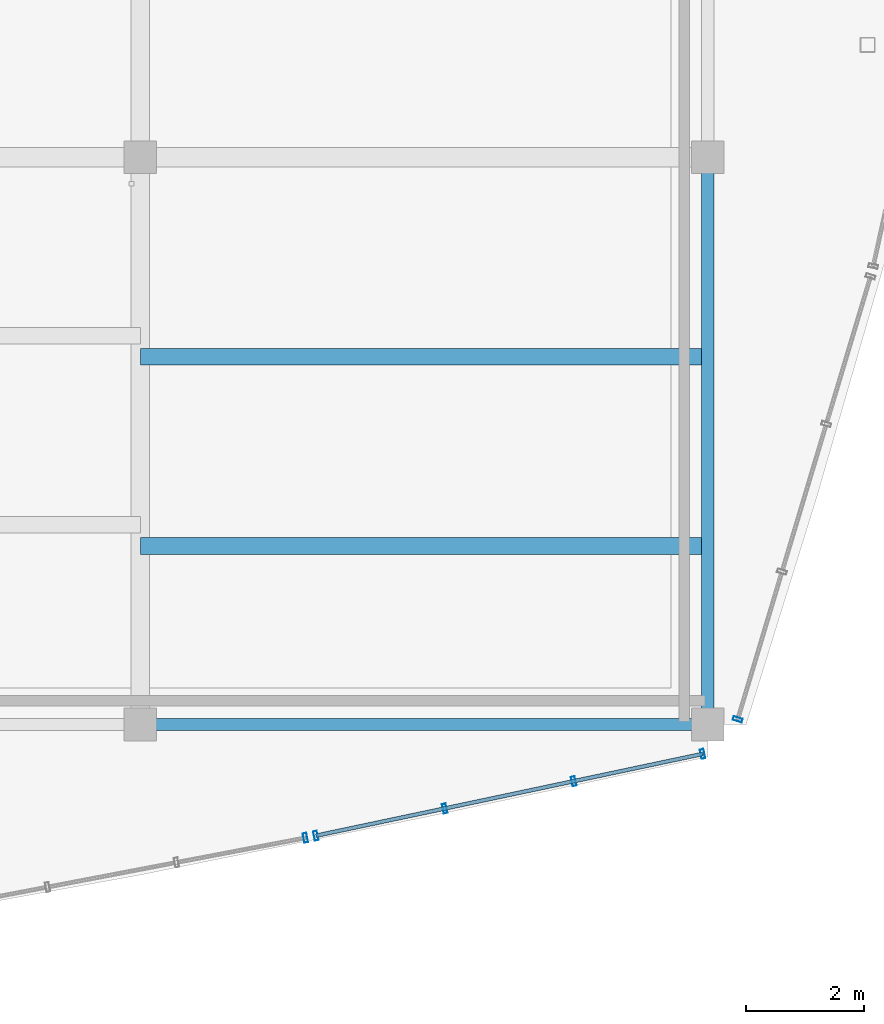
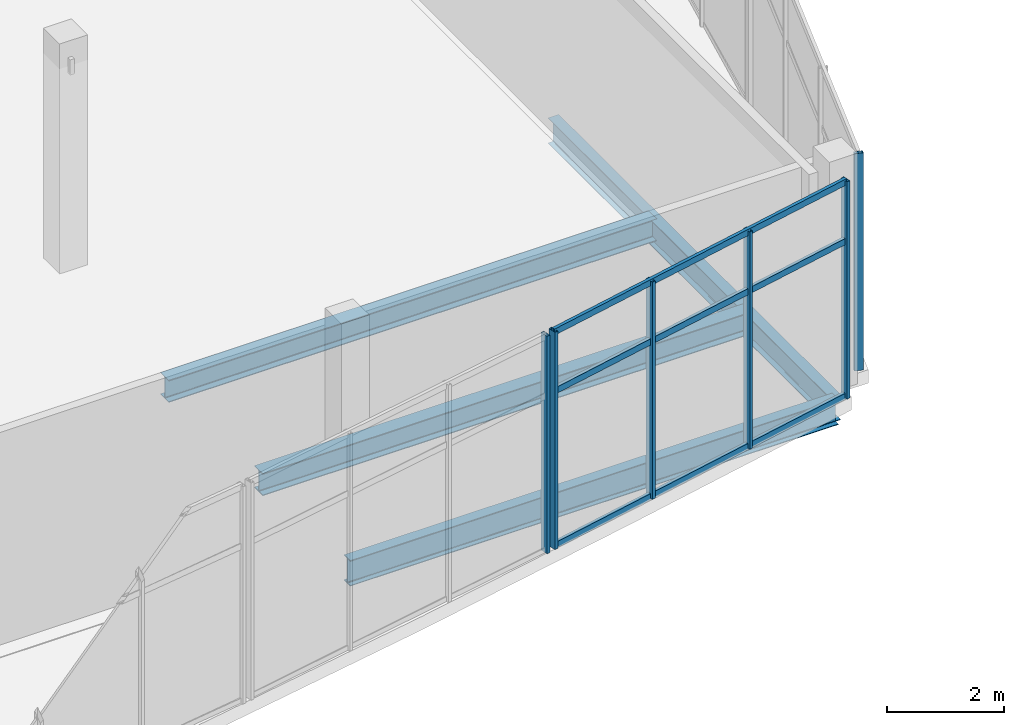
# One storey, part 87 of 157: 9 members, 4 beams, 3 elements without a shape of their own.
"""IFC4 building model written with IfcOpenShell, lengths in metres."""

from ifc_helpers import new_model, si_unit, direction, frame, origin, origin_2d, place, context, subcontext, project, spatial, hollow_rectangle, i_section, extrude, material, layer, layer_set, material_profile, profile_set, type_object, element, aggregate, save


model = new_model("IFC4")

# Units and contexts
model_context = context("Model", 3, precision=1e-05, world=origin(), true_north=direction((0.0, 1.0)))
body_context = subcontext(model_context, "Body", "Model", "MODEL_VIEW")
ifc_project = project(units=[si_unit("LENGTHUNIT", "METRE"), si_unit("AREAUNIT", "SQUARE_METRE"), si_unit("VOLUMEUNIT", "CUBIC_METRE"), si_unit("PLANEANGLEUNIT", "RADIAN"), si_unit("MASSUNIT", "GRAM", prefix="KILO")], contexts=[model_context])

# Site, building, storey
site_placement = place(None, origin())
site = spatial("IfcSite", under=ifc_project, at=site_placement, CompositionType="ELEMENT")
building_placement = place(site_placement, origin())
building = spatial("IfcBuilding", under=site, at=building_placement, Name="Chalmorin Arch Market", CompositionType="ELEMENT")
storey_placement = place(building_placement, frame((0.0, 0.0, 4.800048828125)))
storey = spatial("IfcBuildingStorey", under=building, at=storey_placement, Name="L01", CompositionType="ELEMENT", Elevation=4.800048828125)

# Curtain wall, member
ifc_material_1 = material(Name="Aluminium 6063-T6", Category="aluminium")
ifc_layer_1 = layer(ifc_material_1, 0.159912109375)
ifc_layer_set_1 = layer_set([ifc_layer_1], Name="Aluminium 6063-T6")
curtain_wall_type_1 = type_object("IfcCurtainWallType", Name="CulinaryStudioCurtainWall-CW3-6660x4520", PredefinedType="NOTDEFINED", material=ifc_layer_set_1)
curtain_wall_1_placement = place(storey_placement, origin())
curtain_wall_1 = element("IfcCurtainWall", 1, at=curtain_wall_1_placement, inside=storey, type_object=curtain_wall_type_1, Name="CW-03-174", PredefinedType="NOTDEFINED")
ifc_material_profile_1 = material_profile(ifc_material_1, hollow_rectangle(XDim=0.06494140625, YDim=0.159912109375, WallThickness=0.00390625, at=origin_2d()), Name="ALU65X160X4")
ifc_profile_set_1 = profile_set([ifc_material_profile_1], Name="Aluminium 6063-T6")
member_type_1 = type_object("IfcMemberType", Name="CurtainWallMullion-65x160", PredefinedType="MULLION", material=ifc_profile_set_1)
member_1_placement = place(storey_placement, frame((108.3916015625, 70.08203125, 0.0), z_axis=(0.0, 0.0, 1.0), x_axis=(0.981627183448, 0.190808995377, 0.0)))
member_1 = element("IfcMember", 2, at=member_1_placement, type_object=member_type_1, Name="ML-174-04", PredefinedType="MULLION", context=body_context, shape_type="SweptSolid", body=[
    extrude(hollow_rectangle(XDim=0.06494140625, YDim=0.159912109375, WallThickness=0.00390625, at=origin_2d()), origin(), (0.0, 0.0, 1.0), 4.52001953125),
])
aggregate(curtain_wall_1, [member_1])

# Curtain wall, members
ifc_layer_2 = layer(ifc_material_1, 0.159912109375)
ifc_layer_set_2 = layer_set([ifc_layer_2], Name="Aluminium 6063-T6")
curtain_wall_type_2 = type_object("IfcCurtainWallType", Name="CulinaryStudioCurtainWall-CW3-6690x4520", PredefinedType="NOTDEFINED", material=ifc_layer_set_2)
curtain_wall_2_placement = place(storey_placement, origin())
curtain_wall_2 = element("IfcCurtainWall", 3, at=curtain_wall_2_placement, inside=storey, type_object=curtain_wall_type_2, Name="CW-03-177", PredefinedType="NOTDEFINED")
member_2_placement = place(storey_placement, frame((108.568115234375, 70.11767578125, 0.0), z_axis=(0.0, 0.0, 1.0), x_axis=(0.978147600734, 0.207911690818, 0.0)))
member_2 = element("IfcMember", 4, at=member_2_placement, type_object=member_type_1, Name="ML-177-01", PredefinedType="MULLION", context=body_context, shape_type="SweptSolid", body=[
    extrude(hollow_rectangle(XDim=0.06494140625, YDim=0.159912109375, WallThickness=0.00390625, at=origin_2d()), origin(), (0.0, 0.0, 1.0), 4.52001953125),
])
member_3_placement = place(storey_placement, frame((110.74951171875, 70.578857421875, 0.0), z_axis=(0.0, 0.0, 1.0), x_axis=(0.978147600734, 0.207911690818, 0.0)))
member_3 = element("IfcMember", 5, at=member_3_placement, type_object=member_type_1, Name="ML-177-02", PredefinedType="MULLION", context=body_context, shape_type="SweptSolid", body=[
    extrude(hollow_rectangle(XDim=0.06494140625, YDim=0.159912109375, WallThickness=0.00390625, at=origin_2d()), origin(), (0.0, 0.0, 1.0), 4.52001953125),
])
member_4_placement = place(storey_placement, frame((112.9306640625, 71.0400390625, 0.0), z_axis=(0.0, 0.0, 1.0), x_axis=(0.978147600734, 0.207911690818, 0.0)))
member_4 = element("IfcMember", 6, at=member_4_placement, type_object=member_type_1, Name="ML-177-03", PredefinedType="MULLION", context=body_context, shape_type="SweptSolid", body=[
    extrude(hollow_rectangle(XDim=0.06494140625, YDim=0.159912109375, WallThickness=0.00390625, at=origin_2d()), origin(), (0.0, 0.0, 1.0), 4.52001953125),
])
member_5_placement = place(storey_placement, frame((115.11181640625, 71.50146484375, 0.0), z_axis=(0.0, 0.0, 1.0), x_axis=(0.978147600734, 0.207911690818, 0.0)))
member_5 = element("IfcMember", 7, at=member_5_placement, type_object=member_type_1, Name="ML-177-04", PredefinedType="MULLION", context=body_context, shape_type="SweptSolid", body=[
    extrude(hollow_rectangle(XDim=0.06494140625, YDim=0.159912109375, WallThickness=0.00390625, at=origin_2d()), origin(), (0.0, 0.0, 1.0), 4.52001953125),
])

# Curtain wall, member
ifc_layer_3 = layer(ifc_material_1, 0.159912109375)
ifc_layer_set_3 = layer_set([ifc_layer_3], Name="Aluminium 6063-T6")
curtain_wall_type_3 = type_object("IfcCurtainWallType", Name="CulinaryStudioCurtainWall-CW3-7820x4520", PredefinedType="NOTDEFINED", material=ifc_layer_set_3)
curtain_wall_3_placement = place(storey_placement, origin())
curtain_wall_3 = element("IfcCurtainWall", 8, at=curtain_wall_3_placement, inside=storey, type_object=curtain_wall_type_3, Name="CW-03-179", PredefinedType="NOTDEFINED")
member_6_placement = place(storey_placement, frame((115.705810546875, 72.086181640625, 0.0), z_axis=(0.0, 0.0, 1.0), x_axis=(0.292371704723, 0.956304755963, 0.0)))
member_6 = element("IfcMember", 9, at=member_6_placement, type_object=member_type_1, Name="ML-179-01", PredefinedType="MULLION", context=body_context, shape_type="SweptSolid", body=[
    extrude(hollow_rectangle(XDim=0.06494140625, YDim=0.159912109375, WallThickness=0.00390625, at=origin_2d()), origin(), (0.0, 0.0, 1.0), 4.52001953125),
])
aggregate(curtain_wall_3, [member_6])

# Member
ifc_material_profile_2 = material_profile(ifc_material_1, hollow_rectangle(XDim=0.06494140625, YDim=0.1298828125, WallThickness=0.00390625, at=origin_2d()), Name="ALU65X130X4")
ifc_profile_set_2 = profile_set([ifc_material_profile_2], Name="Aluminium 6063-T6")
member_type_2 = type_object("IfcMemberType", Name="CurtainWallTransom-65x130", PredefinedType="USERDEFINED", material=ifc_profile_set_2)
member_7_placement = place(storey_placement, frame((108.568115234375, 70.11767578125, 0.034912109375), z_axis=(0.978363487727, 0.206893416723, 0.0), x_axis=(-0.206893416723, 0.978363487727, 0.0)))
member_7 = element("IfcMember", 10, at=member_7_placement, type_object=member_type_2, Name="TR-177-01", ObjectType="TRANSOM", PredefinedType="USERDEFINED", context=body_context, shape_type="SweptSolid", body=[
    extrude(hollow_rectangle(XDim=0.06494140625, YDim=0.1298828125, WallThickness=0.00390625, at=origin_2d()), origin(), (0.0, 0.0, 1.0), 6.6884765625),
])

member_8_placement = place(storey_placement, frame((108.568115234375, 70.11767578125, 3.25439453125), z_axis=(0.978363487727, 0.206893416723, 0.0), x_axis=(-0.206893416723, 0.978363487727, 0.0)))
member_8 = element("IfcMember", 11, at=member_8_placement, type_object=member_type_2, Name="TR-177-02", ObjectType="TRANSOM", PredefinedType="USERDEFINED", context=body_context, shape_type="SweptSolid", body=[
    extrude(hollow_rectangle(XDim=0.06494140625, YDim=0.1298828125, WallThickness=0.00390625, at=origin_2d()), origin(), (0.0, 0.0, 1.0), 6.6884765625),
])

member_9_placement = place(storey_placement, frame((108.568115234375, 70.11767578125, 4.48486328125), z_axis=(0.978363487727, 0.206893416723, 0.0), x_axis=(-0.206893416723, 0.978363487727, 0.0)))
member_9 = element("IfcMember", 12, at=member_9_placement, type_object=member_type_2, Name="TR-177-03", ObjectType="TRANSOM", PredefinedType="USERDEFINED", context=body_context, shape_type="SweptSolid", body=[
    extrude(hollow_rectangle(XDim=0.06494140625, YDim=0.1298828125, WallThickness=0.00390625, at=origin_2d()), origin(), (0.0, 0.0, 1.0), 6.6884765625),
])

aggregate(curtain_wall_2, [member_2, member_3, member_4, member_5, member_7, member_8, member_9])

# Beams
ifc_material_2 = material(Name="Steel A992 Grade 50", Category="steel")
ifc_material_profile_3 = material_profile(ifc_material_2, i_section(OverallWidth=0.208984375, OverallDepth=0.532958984375, WebThickness=0.01025390625, FlangeThickness=0.015625, FilletRadius=0.02197265625, at=origin_2d()), Name="W21X62")
ifc_profile_set_3 = profile_set([ifc_material_profile_3], Name="Steel A992 Grade 50")
beam_type_1 = type_object("IfcBeamType", Name="PerimeterSpandrelBeam-W21X62", PredefinedType="SPANDREL", material=ifc_profile_set_3)
beam_1_placement = place(storey_placement, frame((105.60009765625, 72.0, -0.588623046875), z_axis=(1.0, 0.0, 0.0), x_axis=(0.0, 1.0, 0.0)))
element("IfcBeam", 13, at=beam_1_placement, inside=storey, type_object=beam_type_1, Name="SP-W21-0949", PredefinedType="SPANDREL", context=body_context, shape_type="SweptSolid", body=[
    extrude(i_section(OverallWidth=0.208984375, OverallDepth=0.532958984375, WebThickness=0.01025390625, FlangeThickness=0.015625, FilletRadius=0.02197265625, at=origin_2d()), origin(), (0.0, 0.0, 1.0), 9.599853515625),
])
beam_2_placement = place(storey_placement, frame((115.199951171875, 72.0, -0.588623046875), z_axis=(0.0, 1.0, 0.0), x_axis=(-1.0, 0.0, 0.0)))
element("IfcBeam", 14, at=beam_2_placement, inside=storey, type_object=beam_type_1, Name="SP-W21-0951", PredefinedType="SPANDREL", context=body_context, shape_type="SweptSolid", body=[
    extrude(i_section(OverallWidth=0.208984375, OverallDepth=0.532958984375, WebThickness=0.01025390625, FlangeThickness=0.015625, FilletRadius=0.02197265625, at=origin_2d()), origin(), (0.0, 0.0, 1.0), 9.60009765625),
])
ifc_material_profile_4 = material_profile(ifc_material_2, i_section(OverallWidth=0.280029296875, OverallDepth=0.462890625, WebThickness=0.0107421875, FlangeThickness=0.017333984375, FilletRadius=0.02001953125, at=origin_2d()), Name="W18X76")
ifc_profile_set_4 = profile_set([ifc_material_profile_4], Name="Steel A992 Grade 50")
beam_type_2 = type_object("IfcBeamType", Name="WorkshopSteelBeam-W18X76", PredefinedType="BEAM", material=ifc_profile_set_4)
for number, where, z_axis, x_axis, name in (
    (15, (105.60009765625, 75.02001953125, -0.553466796875), (1.0, 0.0, 0.0), (0.0, 1.0, 0.0), "BM-W18C-1014"),
    (16, (105.60009765625, 78.219970703125, -0.553466796875), (1.0, 0.0, 0.0), (0.0, 1.0, 0.0), "BM-W18C-1015"),
):
    element("IfcBeam", number, at=place(storey_placement, frame(where, z_axis=z_axis, x_axis=x_axis)), inside=storey, type_object=beam_type_2, Name=name, PredefinedType="BEAM", context=body_context, shape_type="SweptSolid", body=[
        extrude(i_section(OverallWidth=0.280029296875, OverallDepth=0.462890625, WebThickness=0.0107421875, FlangeThickness=0.017333984375, FilletRadius=0.02001953125, at=origin_2d()), origin(), (0.0, 0.0, 1.0), 9.599853515625),
    ])

save(model, "model.ifc")
